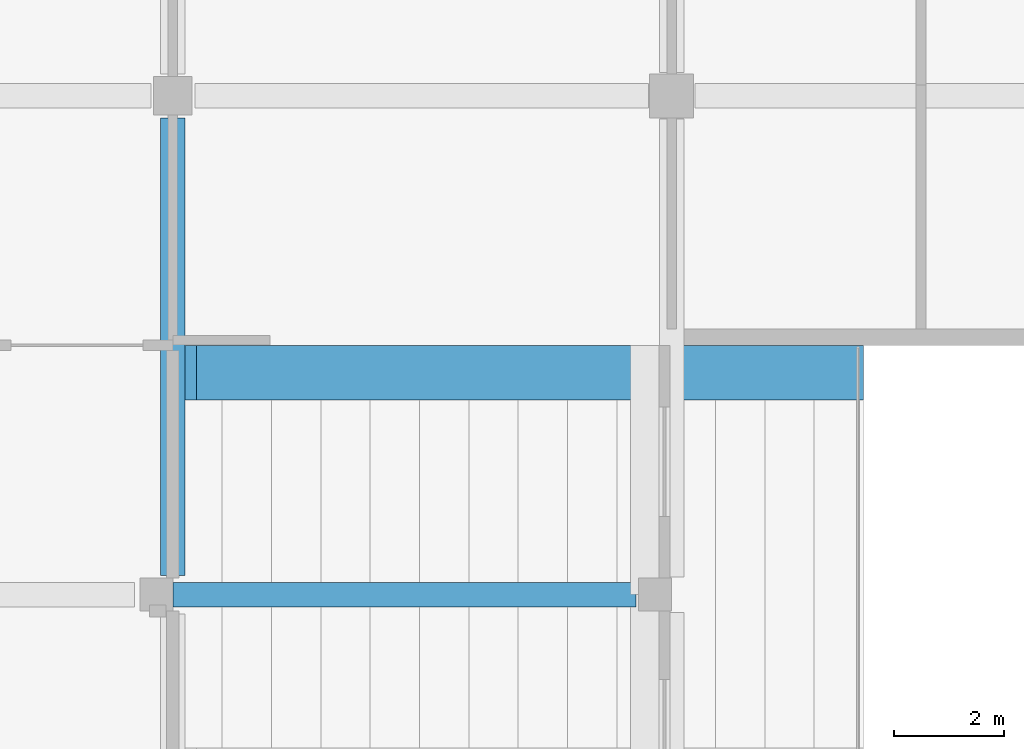
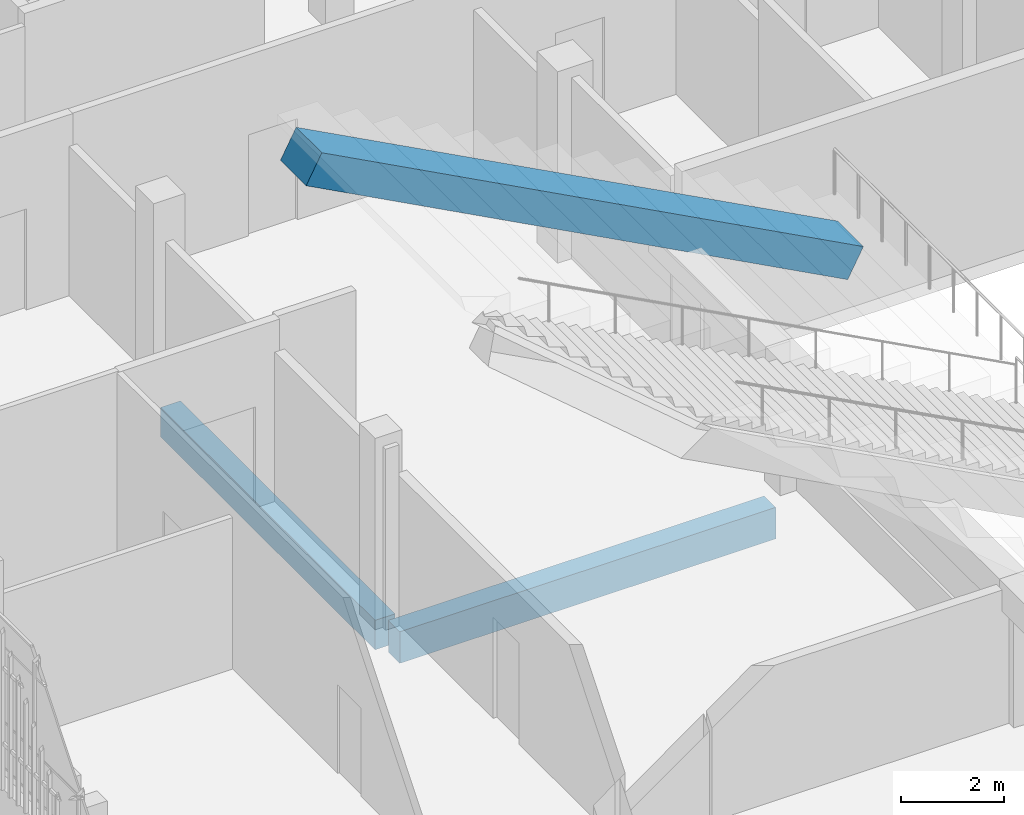
# One storey, part 32 of 139: 3 beams.
"""IFC4 building model written with IfcOpenShell, lengths in metres."""

from ifc_helpers import new_model, si_unit, direction, frame, origin, origin_2d, place, context, subcontext, project, spatial, rectangle, extrude, material, material_profile, profile_set, type_object, element, save


model = new_model("IFC4")

# Units and contexts
model_context = context("Model", 3, precision=1e-05, world=origin(), true_north=direction((0.0, 1.0)))
body_context = subcontext(model_context, "Body", "Model", "MODEL_VIEW")
ifc_project = project(units=[si_unit("LENGTHUNIT", "METRE"), si_unit("AREAUNIT", "SQUARE_METRE"), si_unit("VOLUMEUNIT", "CUBIC_METRE"), si_unit("PLANEANGLEUNIT", "RADIAN"), si_unit("MASSUNIT", "GRAM", prefix="KILO")], contexts=[model_context])

# Site, building, storey
site_placement = place(None, origin())
site = spatial("IfcSite", under=ifc_project, at=site_placement, CompositionType="ELEMENT")
building_placement = place(site_placement, origin())
building = spatial("IfcBuilding", under=site, at=building_placement, Name="Shirokan Park Arena", CompositionType="ELEMENT")
storey_placement = place(building_placement, frame((0.0, 0.0, 15.469970703125)))
storey = spatial("IfcBuildingStorey", under=building, at=storey_placement, Name="L03", CompositionType="ELEMENT", Elevation=15.469970703125)

# Beams
ifc_material = material(Name="Concrete C35", Category="concrete")
ifc_material_profile_1 = material_profile(ifc_material, rectangle(XDim=1.0, YDim=0.75, at=origin_2d()), Name="1000x750")
ifc_profile_set_1 = profile_set([ifc_material_profile_1], Name="Concrete C35")
beam_type_1 = type_object("IfcBeamType", Name="RC end raker 1000x750", PredefinedType="USERDEFINED", material=ifc_profile_set_1)
beam_1_placement = place(storey_placement, frame((21.5234375, 67.75, 1.822509765625), z_axis=(-0.882353431028, 0.0, 0.470587316821), x_axis=(0.0, -1.0, 0.0)))
element("IfcBeam", 1, at=beam_1_placement, inside=storey, type_object=beam_type_1, Name="End raker upper W 2", ObjectType="END RAKER BEAM", PredefinedType="USERDEFINED", context=body_context, shape_type="SweptSolid", body=[
    extrude(rectangle(XDim=1.0, YDim=0.75, at=origin_2d()), origin(), (0.0, 0.0, 1.0), 13.79638671875),
])
ifc_material_profile_2 = material_profile(ifc_material, rectangle(XDim=0.449951171875, YDim=0.699951171875, at=origin_2d()), Name="450x700")
ifc_profile_set_2 = profile_set([ifc_material_profile_2], Name="Concrete C35")
beam_type_2 = type_object("IfcBeamType", Name="RC girder 450x700", PredefinedType="BEAM", material=ifc_profile_set_2)
beam_2_placement = place(storey_placement, frame((9.10009765625, 64.050048828125, -0.64990234375), z_axis=(0.0, 1.0, 0.0), x_axis=(-1.0, 0.0, 0.0)))
element("IfcBeam", 2, at=beam_2_placement, inside=storey, type_object=beam_type_2, Name="Girder 2H-2J L03", PredefinedType="BEAM", context=body_context, shape_type="SweptSolid", body=[
    extrude(rectangle(XDim=0.449951171875, YDim=0.699951171875, at=origin_2d()), origin(), (0.0, 0.0, 1.0), 8.349853515625),
])
ifc_material_profile_3 = material_profile(ifc_material, rectangle(XDim=0.449951171875, YDim=0.75, at=origin_2d()), Name="450x750")
ifc_profile_set_3 = profile_set([ifc_material_profile_3], Name="Concrete C35")
beam_type_3 = type_object("IfcBeamType", Name="RC girder 450x750", PredefinedType="BEAM", material=ifc_profile_set_3)
beam_3_placement = place(storey_placement, frame((9.10009765625, 63.699951171875, -0.675048828125), z_axis=(1.0, 0.0, 0.0), x_axis=(0.0, 1.0, 0.0)))
element("IfcBeam", 3, at=beam_3_placement, inside=storey, type_object=beam_type_3, Name="Girder 2H-3H L03", PredefinedType="BEAM", context=body_context, shape_type="SweptSolid", body=[
    extrude(rectangle(XDim=0.449951171875, YDim=0.75, at=origin_2d()), origin(), (0.0, 0.0, 1.0), 8.44970703125),
])

save(model, "model.ifc")
